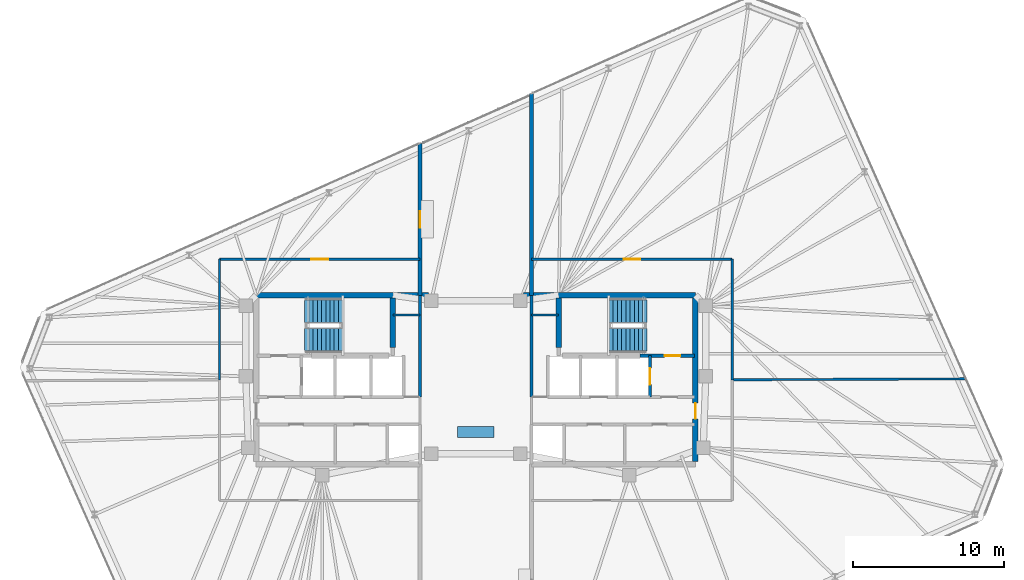
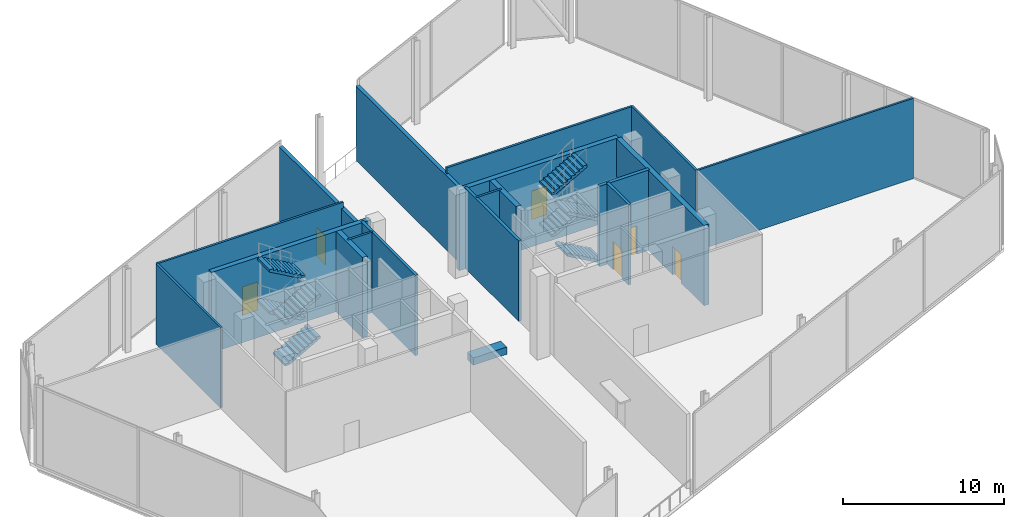
# One storey, part 15 of 16: 18 walls, 8 stair flights, 6 doors, 1 discrete accessory, 6 openings, 2 elements without a shape of their own.
"""IFC4 building model written with IfcOpenShell, lengths in metres."""

from ifc_helpers import new_model, si_unit, direction, frame, frame_2d, origin, origin_2d, place, context, subcontext, project, spatial, polyline, rectangle, outline, extrude, material, layer, layer_set, type_object, element, fill, aggregate, save


model = new_model("IFC4")

# Units and contexts
model_context = context("Model", 3, precision=1e-05, world=origin(), true_north=direction((0.0, 1.0)))
body_context = subcontext(model_context, "Body", "Model", "MODEL_VIEW")
ifc_project = project(units=[si_unit("LENGTHUNIT", "METRE"), si_unit("AREAUNIT", "SQUARE_METRE"), si_unit("VOLUMEUNIT", "CUBIC_METRE"), si_unit("PLANEANGLEUNIT", "RADIAN"), si_unit("MASSUNIT", "GRAM", prefix="KILO")], contexts=[model_context])

# Site, building, storey
site_placement = place(None, origin())
site = spatial("IfcSite", under=ifc_project, at=site_placement, CompositionType="ELEMENT")
building_placement = place(site_placement, origin())
building = spatial("IfcBuilding", under=site, at=building_placement, Name="Menara Jurai Vektor", CompositionType="ELEMENT")
storey_placement = place(building_placement, frame((0.0, 0.0, 275.60009765625)))
storey = spatial("IfcBuildingStorey", under=building, at=storey_placement, Name="L74", CompositionType="ELEMENT", Elevation=275.60009765625)

# Wall, opening, door
ifc_material_1 = material(Name="Insulated Pale Aluminium Terrace Wall", Category="aluminium")
ifc_layer_1 = layer(ifc_material_1, 0.260009765625)
ifc_layer_set_1 = layer_set([ifc_layer_1], Name="Insulated Pale Aluminium Terrace Wall")
wall_type_1 = type_object("IfcWallType", Name="ENV-WALL-EXT260-H1", PredefinedType="STANDARD", material=ifc_layer_set_1)
wall_1_placement = place(storey_placement, frame((-3.699951171875, 5.60009765625, 0.0), z_axis=(0.0, 0.0, 1.0), x_axis=(0.0, 1.0, 0.0)))
wall_1 = element("IfcWall", 1, at=wall_1_placement, inside=storey, type_object=wall_type_1, Name="Wind Portal Breezeway Wall 1-N", PredefinedType="STANDARD", context=body_context, shape_type="SweptSolid", body=[
    extrude(rectangle(XDim=10.08203125, YDim=0.260009765625, at=frame_2d((5.041015625, 0.0))), origin(), (0.0, 0.0, 1.0), 5.625),
])
opening_1_placement = place(wall_1_placement, frame((4.490966796875, 0.0, 0.0)))
opening_1 = element("IfcOpeningElement", 2, at=opening_1_placement, cuts=wall_1, Name="Opening TD-L74-1", PredefinedType="OPENING", context=body_context, shape_type="SweptSolid", body=[
    extrude(rectangle(XDim=1.10009765625, YDim=2.199951171875, at=frame_2d((0.550048828125, 1.10009765625))), frame((0.0, 0.14013671875, 0.0), z_axis=(0.0, -1.0, 0.0), x_axis=(1.0, 0.0, 0.0)), (0.0, 0.0, 1.0), 0.280029296875),
])
ifc_material_2 = material(Name="Anodised Aluminium Glazed Terrace Door", Category="aluminium")
door_type_1 = type_object("IfcDoorType", Name="ENV-DOOR-TER110", OperationType="NOTDEFINED", PredefinedType="DOOR", material=ifc_material_2)
door_1_placement = place(opening_1_placement, frame((1.10009765625, 0.0, 0.0), z_axis=(0.0, 0.0, 1.0), x_axis=(-1.0, 0.0, 0.0)))
door_1 = element("IfcDoor", 3, at=door_1_placement, inside=storey, type_object=door_type_1, Name="Wind Portal Sky-Deck Access Door 1", OperationType="SINGLE_SWING_LEFT", OverallHeight=2.199951171875, OverallWidth=1.10009765625, PredefinedType="DOOR", context=body_context, shape_type="SweptSolid", body=[
    extrude(rectangle(XDim=1.10009765625, YDim=2.199951171875, at=frame_2d((0.550048828125, 1.10009765625))), frame((0.0, 0.02490234375, 0.0), z_axis=(0.0, -1.0, 0.0), x_axis=(1.0, 0.0, 0.0)), (0.0, 0.0, 1.0), 0.050048828125),
])
fill(opening_1, door_1)

# Wall
wall_2_placement = place(storey_placement, frame((3.699951171875, 5.60009765625, 0.0), z_axis=(0.0, 0.0, 1.0), x_axis=(0.0, 1.0, 0.0)))
element("IfcWall", 4, at=wall_2_placement, inside=storey, type_object=wall_type_1, Name="Wind Portal Breezeway Wall 2-N", PredefinedType="STANDARD", context=body_context, shape_type="SweptSolid", body=[
    extrude(rectangle(XDim=13.376708984375, YDim=0.260009765625, at=frame_2d((6.6884765625, 0.0))), origin(), (0.0, 0.0, 1.0), 5.625),
])

# Wall, opening, door
ifc_material_3 = material(Name="Concrete C40/50", Category="concrete")
ifc_layer_2 = layer(ifc_material_3, 0.25)
ifc_layer_set_2 = layer_set([ifc_layer_2], Name="Concrete C40/50")
wall_type_2 = type_object("IfcWallType", Name="INT-WALL-CORE-250", PredefinedType="STANDARD", material=ifc_layer_set_2)
wall_3_placement = place(storey_placement, frame((10.89990234375, 1.60009765625, 0.0), z_axis=(0.0, 0.0, 1.0), x_axis=(1.0, 0.0, 0.0)))
wall_3 = element("IfcWall", 5, at=wall_3_placement, inside=storey, type_object=wall_type_2, Name="Interior Wall IW-250 L74", PredefinedType="STANDARD", context=body_context, shape_type="SweptSolid", body=[
    extrude(rectangle(XDim=3.60009765625, YDim=0.25, at=frame_2d((1.800048828125, 0.0))), origin(), (0.0, 0.0, 1.0), 6.074951171875),
])
opening_2_placement = place(wall_3_placement, frame((1.6201171875, 0.0, 0.0)))
opening_2 = element("IfcOpeningElement", 6, at=opening_2_placement, cuts=wall_3, Name="Opening D-L74-ST2", PredefinedType="OPENING", context=body_context, shape_type="SweptSolid", body=[
    extrude(rectangle(XDim=1.050048828125, YDim=2.14990234375, at=frame_2d((0.52490234375, 1.074951171875))), frame((0.0, 0.135009765625, 0.0), z_axis=(0.0, -1.0, 0.0), x_axis=(1.0, 0.0, 0.0)), (0.0, 0.0, 1.0), 0.27001953125),
])
ifc_material_4 = material(Name="Fire-Rated Steel Door", Category="steel")
door_type_2 = type_object("IfcDoorType", Name="DR-STAIR-1050", OperationType="NOTDEFINED", PredefinedType="DOOR", material=ifc_material_4)
door_2_placement = place(opening_2_placement, origin())
door_2 = element("IfcDoor", 7, at=door_2_placement, inside=storey, type_object=door_type_2, Name="Exit Stair ST2 Door L74", OperationType="SINGLE_SWING_LEFT", OverallHeight=2.14990234375, OverallWidth=1.050048828125, PredefinedType="DOOR", context=body_context, shape_type="SweptSolid", body=[
    extrude(rectangle(XDim=1.050048828125, YDim=2.14990234375, at=frame_2d((0.52490234375, 1.074951171875))), frame((0.0, 0.02490234375, 0.0), z_axis=(0.0, -1.0, 0.0), x_axis=(1.0, 0.0, 0.0)), (0.0, 0.0, 1.0), 0.050048828125),
])
fill(opening_2, door_2)

wall_4_placement = place(storey_placement, frame((11.550048828125, -1.14990234375, 0.0), z_axis=(0.0, 0.0, 1.0), x_axis=(0.0, 1.0, 0.0)))
wall_4 = element("IfcWall", 8, at=wall_4_placement, inside=storey, type_object=wall_type_2, Name="Interior Wall IW-250 L74", PredefinedType="STANDARD", context=body_context, shape_type="SweptSolid", body=[
    extrude(rectangle(XDim=2.75, YDim=0.199951171875, at=frame_2d((1.375, 0.0))), origin(), (0.0, 0.0, 1.0), 6.074951171875),
])
opening_3_placement = place(wall_4_placement, frame((0.824951171875, 0.0, 0.0)))
opening_3 = element("IfcOpeningElement", 9, at=opening_3_placement, cuts=wall_4, Name="Opening LD-L74-FL2", PredefinedType="OPENING", context=body_context, shape_type="SweptSolid", body=[
    extrude(rectangle(XDim=1.10009765625, YDim=2.14990234375, at=frame_2d((0.550048828125, 1.074951171875))), frame((0.0, 0.10986328125, 0.0), z_axis=(0.0, -1.0, 0.0), x_axis=(1.0, 0.0, 0.0)), (0.0, 0.0, 1.0), 0.219970703125),
])
ifc_material_5 = material(Name="Stainless Steel Sliding Lift Landing Door", Category="steel")
door_type_3 = type_object("IfcDoorType", Name="DR-LIFT-FIRE-1100", OperationType="NOTDEFINED", PredefinedType="DOOR", material=ifc_material_5)
door_3_placement = place(opening_3_placement, origin())
door_3 = element("IfcDoor", 10, at=door_3_placement, inside=storey, type_object=door_type_3, Name="Lift Landing Door FL2 L74", OperationType="SLIDING_TO_RIGHT", OverallHeight=2.14990234375, OverallWidth=1.10009765625, PredefinedType="DOOR", context=body_context, shape_type="SweptSolid", body=[
    extrude(rectangle(XDim=1.10009765625, YDim=2.14990234375, at=frame_2d((0.550048828125, 1.074951171875))), frame((0.0, 0.02490234375, 0.0), z_axis=(0.0, -1.0, 0.0), x_axis=(1.0, 0.0, 0.0)), (0.0, 0.0, 1.0), 0.050048828125),
])
fill(opening_3, door_3)

# Walls
ifc_material_6 = material(Name="Gypsum Fireboard Partition", Category="gypsum")
ifc_layer_3 = layer(ifc_material_6, 0.14990234375)
ifc_layer_set_3 = layer_set([ifc_layer_3], Name="Gypsum Fireboard Partition")
wall_type_3 = type_object("IfcWallType", Name="INT-WALL-CORR-150", PredefinedType="PARTITIONING", material=ifc_layer_set_3)
for number, where, z_axis, x_axis, name in (
    (11, (-5.5, 4.300048828125, 0.0), (0.0, 0.0, 1.0), (1.0, 0.0, 0.0), "Interior Wall IW-150 L74"),
    (12, (3.699951171875, 4.300048828125, 0.0), (0.0, 0.0, 1.0), (1.0, 0.0, 0.0), "Interior Wall IW-150 L74"),
):
    element("IfcWall", number, at=place(storey_placement, frame(where, z_axis=z_axis, x_axis=x_axis)), inside=storey, type_object=wall_type_3, Name=name, PredefinedType="PARTITIONING", context=body_context, shape_type="SweptSolid", body=[
        extrude(rectangle(XDim=1.800048828125, YDim=0.14990234375, at=frame_2d((0.89990234375, 0.0))), origin(), (0.0, 0.0, 1.0), 6.074951171875),
    ])
wall_5_placement = place(storey_placement, frame((-17.0, 0.0, 0.0), z_axis=(0.0, 0.0, 1.0), x_axis=(0.0, 1.0, 0.0)))
element("IfcWall", 13, at=wall_5_placement, inside=storey, type_object=wall_type_3, Name="Interior Wall IW-150 L74", PredefinedType="PARTITIONING", context=body_context, shape_type="SweptSolid", body=[
    extrude(rectangle(XDim=8.0, YDim=0.14990234375, at=frame_2d((4.0, 0.0))), origin(), (0.0, 0.0, 1.0), 6.074951171875),
])

# Wall, opening, door
wall_6_placement = place(storey_placement, frame((-17.0, 8.0, 0.0), z_axis=(0.0, 0.0, 1.0), x_axis=(1.0, 0.0, 0.0)))
wall_6 = element("IfcWall", 14, at=wall_6_placement, inside=storey, type_object=wall_type_3, Name="Interior Wall IW-150 L74", PredefinedType="PARTITIONING", context=body_context, shape_type="SweptSolid", body=[
    extrude(rectangle(XDim=13.300048828125, YDim=0.14990234375, at=frame_2d((6.64990234375, 0.0))), origin(), (0.0, 0.0, 1.0), 6.074951171875),
])
opening_4_placement = place(wall_6_placement, frame((6.10009765625, 0.0, 0.0)))
opening_4 = element("IfcOpeningElement", 15, at=opening_4_placement, cuts=wall_6, Name="Opening D74-07", PredefinedType="OPENING", context=body_context, shape_type="SweptSolid", body=[
    extrude(rectangle(XDim=1.10009765625, YDim=2.14990234375, at=frame_2d((0.550048828125, 1.074951171875))), frame((0.0, 0.0849609375, 0.0), z_axis=(0.0, -1.0, 0.0), x_axis=(1.0, 0.0, 0.0)), (0.0, 0.0, 1.0), 0.169921875),
])
ifc_material_7 = material(Name="Fire-Rated Steel Plant Door", Category="steel")
door_type_4 = type_object("IfcDoorType", Name="DR-PLANT-1150", OperationType="NOTDEFINED", PredefinedType="DOOR", material=ifc_material_7)
door_4_placement = place(opening_4_placement, origin())
door_4 = element("IfcDoor", 16, at=door_4_placement, inside=storey, type_object=door_type_4, Name="Interior Door D74-07", OperationType="SINGLE_SWING_LEFT", OverallHeight=2.14990234375, OverallWidth=1.10009765625, PredefinedType="DOOR", context=body_context, shape_type="SweptSolid", body=[
    extrude(rectangle(XDim=1.10009765625, YDim=2.14990234375, at=frame_2d((0.550048828125, 1.074951171875))), frame((0.0, 0.02490234375, 0.0), z_axis=(0.0, -1.0, 0.0), x_axis=(1.0, 0.0, 0.0)), (0.0, 0.0, 1.0), 0.050048828125),
])
fill(opening_4, door_4)

wall_7_placement = place(storey_placement, frame((3.699951171875, 8.0, 0.0), z_axis=(0.0, 0.0, 1.0), x_axis=(1.0, 0.0, 0.0)))
wall_7 = element("IfcWall", 17, at=wall_7_placement, inside=storey, type_object=wall_type_3, Name="Interior Wall IW-150 L74", PredefinedType="PARTITIONING", context=body_context, shape_type="SweptSolid", body=[
    extrude(rectangle(XDim=13.300048828125, YDim=0.14990234375, at=frame_2d((6.64990234375, 0.0))), origin(), (0.0, 0.0, 1.0), 6.074951171875),
])
opening_5_placement = place(wall_7_placement, frame((6.10009765625, 0.0, 0.0)))
opening_5 = element("IfcOpeningElement", 18, at=opening_5_placement, cuts=wall_7, Name="Opening D74-09", PredefinedType="OPENING", context=body_context, shape_type="SweptSolid", body=[
    extrude(rectangle(XDim=1.10009765625, YDim=2.14990234375, at=frame_2d((0.550048828125, 1.074951171875))), frame((0.0, 0.0849609375, 0.0), z_axis=(0.0, -1.0, 0.0), x_axis=(1.0, 0.0, 0.0)), (0.0, 0.0, 1.0), 0.169921875),
])
door_5_placement = place(opening_5_placement, origin())
door_5 = element("IfcDoor", 19, at=door_5_placement, inside=storey, type_object=door_type_4, Name="Interior Door D74-09", OperationType="SINGLE_SWING_LEFT", OverallHeight=2.14990234375, OverallWidth=1.10009765625, PredefinedType="DOOR", context=body_context, shape_type="SweptSolid", body=[
    extrude(rectangle(XDim=1.10009765625, YDim=2.14990234375, at=frame_2d((0.550048828125, 1.074951171875))), frame((0.0, 0.02490234375, 0.0), z_axis=(0.0, -1.0, 0.0), x_axis=(1.0, 0.0, 0.0)), (0.0, 0.0, 1.0), 0.050048828125),
])
fill(opening_5, door_5)

# Walls
wall_8_placement = place(storey_placement, frame((17.0, 0.0, 0.0), z_axis=(0.0, 0.0, 1.0), x_axis=(0.0, 1.0, 0.0)))
element("IfcWall", 20, at=wall_8_placement, inside=storey, type_object=wall_type_3, Name="Interior Wall IW-150 L74", PredefinedType="PARTITIONING", context=body_context, shape_type="SweptSolid", body=[
    extrude(rectangle(XDim=8.0, YDim=0.14990234375, at=frame_2d((4.0, 0.0))), origin(), (0.0, 0.0, 1.0), 6.074951171875),
])
wall_9_placement = place(storey_placement, frame((17.0, 0.0, 0.0), z_axis=(0.0, 0.0, 1.0), x_axis=(0.999992186475, 0.003953098542, 0.0)))
element("IfcWall", 21, at=wall_9_placement, inside=storey, type_object=wall_type_3, Name="Interior Wall IW-150 L74", PredefinedType="PARTITIONING", context=body_context, shape_type="SweptSolid", body=[
    extrude(rectangle(XDim=15.50146484375, YDim=0.14990234375, at=frame_2d((7.750732421875, 0.0))), origin(), (0.0, 0.0, 1.0), 6.074951171875),
])
ifc_layer_4 = layer(ifc_material_3, 0.199951171875)
ifc_layer_set_4 = layer_set([ifc_layer_4], Name="Concrete C40/50")
wall_type_4 = type_object("IfcWallType", Name="INT-WALL-SHAFT-200", PredefinedType="STANDARD", material=ifc_layer_set_4)
for number, where, z_axis, x_axis, name in (
    (22, (-3.699951171875, -1.14990234375, 0.0), (0.0, 0.0, 1.0), (0.0, 1.0, 0.0), "Interior Wall IW-200 L74"),
    (23, (3.699951171875, -1.14990234375, 0.0), (0.0, 0.0, 1.0), (0.0, 1.0, 0.0), "Interior Wall IW-200 L74"),
):
    element("IfcWall", number, at=place(storey_placement, frame(where, z_axis=z_axis, x_axis=x_axis)), inside=storey, type_object=wall_type_4, Name=name, PredefinedType="STANDARD", context=body_context, shape_type="SweptSolid", body=[
        extrude(rectangle(XDim=6.75, YDim=0.199951171875, at=frame_2d((3.375, 0.0))), origin(), (0.0, 0.0, 1.0), 6.074951171875),
    ])
ifc_material_8 = material(Name="Concrete C50/60", Category="concrete")
ifc_layer_5 = layer(ifc_material_8, 0.35009765625)
ifc_layer_set_5 = layer_set([ifc_layer_5], Name="Concrete C50/60")
wall_type_5 = type_object("IfcWallType", Name="STR-WALL-CORE350", PredefinedType="SHEAR", material=ifc_layer_set_5)
wall_10_placement = place(storey_placement, frame((-14.56005859375, 5.60009765625, 0.0), z_axis=(0.0, 0.0, 1.0), x_axis=(1.0, 0.0, 0.0)))
element("IfcWall", 24, at=wall_10_placement, inside=storey, type_object=wall_type_5, Name="Core Shear Wall CW-W-N L74", PredefinedType="SHEAR", context=body_context, shape_type="SweptSolid", body=[
    extrude(rectangle(XDim=11.41015625, YDim=0.35009765625, at=frame_2d((5.705078125, 0.0))), origin(), (0.0, 0.0, 1.0), 6.074951171875),
])
wall_11_placement = place(storey_placement, frame((-5.5, 2.14990234375, 0.0), z_axis=(0.0, 0.0, 1.0), x_axis=(0.0, 1.0, 0.0)))
element("IfcWall", 25, at=wall_11_placement, inside=storey, type_object=wall_type_5, Name="Core Shear Wall CW-W-ST L74", PredefinedType="SHEAR", context=body_context, shape_type="SweptSolid", body=[
    extrude(rectangle(XDim=3.275146484375, YDim=0.35009765625, at=frame_2d((1.6376953125, 0.0))), origin(), (0.0, 0.0, 1.0), 6.074951171875),
])
wall_12_placement = place(storey_placement, frame((3.14990234375, 5.60009765625, 0.0), z_axis=(0.0, 0.0, 1.0), x_axis=(1.0, 0.0, 0.0)))
element("IfcWall", 26, at=wall_12_placement, inside=storey, type_object=wall_type_5, Name="Core Shear Wall CW-E-N L74", PredefinedType="SHEAR", context=body_context, shape_type="SweptSolid", body=[
    extrude(rectangle(XDim=11.41015625, YDim=0.35009765625, at=frame_2d((5.705078125, 0.0))), origin(), (0.0, 0.0, 1.0), 6.074951171875),
])

# Wall, opening, door
wall_13_placement = place(storey_placement, frame((14.56005859375, -5.425048828125, 0.0), z_axis=(0.0, 0.0, 1.0), x_axis=(0.0, 1.0, 0.0)))
wall_13 = element("IfcWall", 27, at=wall_13_placement, inside=storey, type_object=wall_type_5, Name="Core Shear Wall CW-E-E L74", PredefinedType="SHEAR", context=body_context, shape_type="SweptSolid", body=[
    extrude(rectangle(XDim=10.85009765625, YDim=0.35009765625, at=frame_2d((5.425048828125, 0.0))), origin(), (0.0, 0.0, 1.0), 6.074951171875),
])
opening_6_placement = place(wall_13_placement, frame((2.824951171875, 0.0, 0.0)))
opening_6 = element("IfcOpeningElement", 28, at=opening_6_placement, cuts=wall_13, Name="Opening D74-12", PredefinedType="OPENING", context=body_context, shape_type="SweptSolid", body=[
    extrude(rectangle(XDim=1.050048828125, YDim=2.14990234375, at=frame_2d((0.52490234375, 1.074951171875))), frame((0.0, 0.18505859375, 0.0), z_axis=(0.0, -1.0, 0.0), x_axis=(1.0, 0.0, 0.0)), (0.0, 0.0, 1.0), 0.3701171875),
])
door_6_placement = place(opening_6_placement, origin())
door_6 = element("IfcDoor", 29, at=door_6_placement, inside=storey, type_object=door_type_4, Name="Interior Door D74-12", OperationType="SINGLE_SWING_RIGHT", OverallHeight=2.14990234375, OverallWidth=1.050048828125, PredefinedType="DOOR", context=body_context, shape_type="SweptSolid", body=[
    extrude(rectangle(XDim=1.050048828125, YDim=2.14990234375, at=frame_2d((0.52490234375, 1.074951171875))), frame((0.0, 0.02490234375, 0.0), z_axis=(0.0, -1.0, 0.0), x_axis=(1.0, 0.0, 0.0)), (0.0, 0.0, 1.0), 0.050048828125),
])
fill(opening_6, door_6)

# Wall
wall_14_placement = place(storey_placement, frame((5.5, 2.14990234375, 0.0), z_axis=(0.0, 0.0, 1.0), x_axis=(0.0, 1.0, 0.0)))
element("IfcWall", 30, at=wall_14_placement, inside=storey, type_object=wall_type_5, Name="Core Shear Wall CW-E-ST L74", PredefinedType="SHEAR", context=body_context, shape_type="SweptSolid", body=[
    extrude(rectangle(XDim=3.275146484375, YDim=0.35009765625, at=frame_2d((1.6376953125, 0.0))), origin(), (0.0, 0.0, 1.0), 6.074951171875),
])

# Stair, stair flights
stair_type = type_object("IfcStairType", Name="STAIR-DOGLEG-1500", PredefinedType="HALF_TURN_STAIR", material=ifc_material_3)
stair_1_placement = place(storey_placement, origin())
stair_1 = element("IfcStair", 31, at=stair_1_placement, inside=storey, type_object=stair_type, Name="Protected Exit Stair ST1 L74", PredefinedType="HALF_TURN_STAIR")
stair_flight_type = type_object("IfcStairFlightType", Name="STAIR-FLIGHT-1500", PredefinedType="STRAIGHT", material=ifc_material_3)
stair_flight_1_placement = place(storey_placement, frame((-11.35009765625, 2.64990234375, 0.0), z_axis=(0.0, 0.0, 1.0), x_axis=(1.0, 0.0, 0.0)))
stair_flight_1 = element("IfcStairFlight", 32, at=stair_flight_1_placement, type_object=stair_flight_type, Name="ST1 flight 1", NumberOfRisers=10, NumberOfTreads=9, PredefinedType="STRAIGHT", RiserHeight=0.1575, TreadLength=0.28, context=body_context, shape_type="SweptSolid", body=[
    extrude(outline(polyline([(0.0, 0.0), (0.0, 0.157470703125), (0.280029296875, 0.157470703125), (0.280029296875, 0.31494140625), (0.56005859375, 0.31494140625), (0.56005859375, 0.472412109375), (0.840087890625, 0.472412109375), (0.840087890625, 0.6298828125), (1.1201171875, 0.6298828125), (1.1201171875, 0.78759765625), (1.39990234375, 0.78759765625), (1.39990234375, 0.945068359375), (1.679931640625, 0.945068359375), (1.679931640625, 1.1025390625), (1.9599609375, 1.1025390625), (1.9599609375, 1.260009765625), (2.239990234375, 1.260009765625), (2.239990234375, 1.41748046875), (2.52001953125, 1.41748046875), (2.52001953125, 1.574951171875), (2.52001953125, 1.234130859375), (0.326171875, 0.0), (0.0, 0.0)])), frame((0.0, 0.75, 0.0), z_axis=(0.0, -1.0, 0.0), x_axis=(1.0, 0.0, 0.0)), (0.0, 0.0, 1.0), 1.5),
])
stair_flight_2_placement = place(storey_placement, frame((-8.830078125, 4.550048828125, 1.574951171875), z_axis=(0.0, 0.0, 1.0), x_axis=(-1.0, 0.0, 0.0)))
stair_flight_2 = element("IfcStairFlight", 33, at=stair_flight_2_placement, type_object=stair_flight_type, Name="ST1 flight 2", NumberOfRisers=10, NumberOfTreads=9, PredefinedType="STRAIGHT", RiserHeight=0.1575, TreadLength=0.28, context=body_context, shape_type="SweptSolid", body=[
    extrude(outline(polyline([(0.0, 0.0), (0.0, 0.157470703125), (0.280029296875, 0.157470703125), (0.280029296875, 0.31494140625), (0.56005859375, 0.31494140625), (0.56005859375, 0.472412109375), (0.840087890625, 0.472412109375), (0.840087890625, 0.6298828125), (1.1201171875, 0.6298828125), (1.1201171875, 0.78759765625), (1.39990234375, 0.78759765625), (1.39990234375, 0.945068359375), (1.679931640625, 0.945068359375), (1.679931640625, 1.1025390625), (1.9599609375, 1.1025390625), (1.9599609375, 1.260009765625), (2.239990234375, 1.260009765625), (2.239990234375, 1.41748046875), (2.52001953125, 1.41748046875), (2.52001953125, 1.574951171875), (2.52001953125, 1.234130859375), (0.326171875, 0.0), (0.0, 0.0)])), frame((0.0, 0.75, 0.0), z_axis=(0.0, -1.0, 0.0), x_axis=(1.0, 0.0, 0.0)), (0.0, 0.0, 1.0), 1.5),
])
stair_flight_3_placement = place(storey_placement, frame((-11.35009765625, 2.64990234375, 3.14990234375), z_axis=(0.0, 0.0, 1.0), x_axis=(1.0, 0.0, 0.0)))
stair_flight_3 = element("IfcStairFlight", 34, at=stair_flight_3_placement, type_object=stair_flight_type, Name="ST1 flight 3", NumberOfRisers=10, NumberOfTreads=9, PredefinedType="STRAIGHT", RiserHeight=0.1575, TreadLength=0.28, context=body_context, shape_type="SweptSolid", body=[
    extrude(outline(polyline([(0.0, 0.0), (0.0, 0.157470703125), (0.280029296875, 0.157470703125), (0.280029296875, 0.31494140625), (0.56005859375, 0.31494140625), (0.56005859375, 0.472412109375), (0.840087890625, 0.472412109375), (0.840087890625, 0.6298828125), (1.1201171875, 0.6298828125), (1.1201171875, 0.78759765625), (1.39990234375, 0.78759765625), (1.39990234375, 0.945068359375), (1.679931640625, 0.945068359375), (1.679931640625, 1.1025390625), (1.9599609375, 1.1025390625), (1.9599609375, 1.260009765625), (2.239990234375, 1.260009765625), (2.239990234375, 1.41748046875), (2.52001953125, 1.41748046875), (2.52001953125, 1.574951171875), (2.52001953125, 1.234130859375), (0.326171875, 0.0), (0.0, 0.0)])), frame((0.0, 0.75, 0.0), z_axis=(0.0, -1.0, 0.0), x_axis=(1.0, 0.0, 0.0)), (0.0, 0.0, 1.0), 1.5),
])
stair_flight_4_placement = place(storey_placement, frame((-8.830078125, 4.550048828125, 4.724853515625), z_axis=(0.0, 0.0, 1.0), x_axis=(-1.0, 0.0, 0.0)))
stair_flight_4 = element("IfcStairFlight", 35, at=stair_flight_4_placement, type_object=stair_flight_type, Name="ST1 flight 4", NumberOfRisers=10, NumberOfTreads=9, PredefinedType="STRAIGHT", RiserHeight=0.1575, TreadLength=0.28, context=body_context, shape_type="SweptSolid", body=[
    extrude(outline(polyline([(0.0, 0.0), (0.0, 0.157470703125), (0.280029296875, 0.157470703125), (0.280029296875, 0.31494140625), (0.56005859375, 0.31494140625), (0.56005859375, 0.472412109375), (0.840087890625, 0.472412109375), (0.840087890625, 0.6298828125), (1.1201171875, 0.6298828125), (1.1201171875, 0.78759765625), (1.39990234375, 0.78759765625), (1.39990234375, 0.945068359375), (1.679931640625, 0.945068359375), (1.679931640625, 1.1025390625), (1.9599609375, 1.1025390625), (1.9599609375, 1.260009765625), (2.239990234375, 1.260009765625), (2.239990234375, 1.41748046875), (2.52001953125, 1.41748046875), (2.52001953125, 1.574951171875), (2.52001953125, 1.234130859375), (0.326171875, 0.0), (0.0, 0.0)])), frame((0.0, 0.75, 0.0), z_axis=(0.0, -1.0, 0.0), x_axis=(1.0, 0.0, 0.0)), (0.0, 0.0, 1.0), 1.5),
])
aggregate(stair_1, [stair_flight_1, stair_flight_2, stair_flight_3, stair_flight_4])

stair_2_placement = place(storey_placement, origin())
stair_2 = element("IfcStair", 36, at=stair_2_placement, inside=storey, type_object=stair_type, Name="Protected Exit Stair ST2 L74", PredefinedType="HALF_TURN_STAIR")
stair_flight_5_placement = place(storey_placement, frame((11.35009765625, 2.64990234375, 0.0), z_axis=(0.0, 0.0, 1.0), x_axis=(-1.0, 0.0, 0.0)))
stair_flight_5 = element("IfcStairFlight", 37, at=stair_flight_5_placement, type_object=stair_flight_type, Name="ST2 flight 1", NumberOfRisers=10, NumberOfTreads=9, PredefinedType="STRAIGHT", RiserHeight=0.1575, TreadLength=0.28, context=body_context, shape_type="SweptSolid", body=[
    extrude(outline(polyline([(0.0, 0.0), (0.0, 0.157470703125), (0.280029296875, 0.157470703125), (0.280029296875, 0.31494140625), (0.56005859375, 0.31494140625), (0.56005859375, 0.472412109375), (0.840087890625, 0.472412109375), (0.840087890625, 0.6298828125), (1.1201171875, 0.6298828125), (1.1201171875, 0.78759765625), (1.39990234375, 0.78759765625), (1.39990234375, 0.945068359375), (1.679931640625, 0.945068359375), (1.679931640625, 1.1025390625), (1.9599609375, 1.1025390625), (1.9599609375, 1.260009765625), (2.239990234375, 1.260009765625), (2.239990234375, 1.41748046875), (2.52001953125, 1.41748046875), (2.52001953125, 1.574951171875), (2.52001953125, 1.234130859375), (0.326171875, 0.0), (0.0, 0.0)])), frame((0.0, 0.75, 0.0), z_axis=(0.0, -1.0, 0.0), x_axis=(1.0, 0.0, 0.0)), (0.0, 0.0, 1.0), 1.5),
])
stair_flight_6_placement = place(storey_placement, frame((8.830078125, 4.550048828125, 1.574951171875), z_axis=(0.0, 0.0, 1.0), x_axis=(1.0, 0.0, 0.0)))
stair_flight_6 = element("IfcStairFlight", 38, at=stair_flight_6_placement, type_object=stair_flight_type, Name="ST2 flight 2", NumberOfRisers=10, NumberOfTreads=9, PredefinedType="STRAIGHT", RiserHeight=0.1575, TreadLength=0.28, context=body_context, shape_type="SweptSolid", body=[
    extrude(outline(polyline([(0.0, 0.0), (0.0, 0.157470703125), (0.280029296875, 0.157470703125), (0.280029296875, 0.31494140625), (0.56005859375, 0.31494140625), (0.56005859375, 0.472412109375), (0.840087890625, 0.472412109375), (0.840087890625, 0.6298828125), (1.1201171875, 0.6298828125), (1.1201171875, 0.78759765625), (1.39990234375, 0.78759765625), (1.39990234375, 0.945068359375), (1.679931640625, 0.945068359375), (1.679931640625, 1.1025390625), (1.9599609375, 1.1025390625), (1.9599609375, 1.260009765625), (2.239990234375, 1.260009765625), (2.239990234375, 1.41748046875), (2.52001953125, 1.41748046875), (2.52001953125, 1.574951171875), (2.52001953125, 1.234130859375), (0.326171875, 0.0), (0.0, 0.0)])), frame((0.0, 0.75, 0.0), z_axis=(0.0, -1.0, 0.0), x_axis=(1.0, 0.0, 0.0)), (0.0, 0.0, 1.0), 1.5),
])
stair_flight_7_placement = place(storey_placement, frame((11.35009765625, 2.64990234375, 3.14990234375), z_axis=(0.0, 0.0, 1.0), x_axis=(-1.0, 0.0, 0.0)))
stair_flight_7 = element("IfcStairFlight", 39, at=stair_flight_7_placement, type_object=stair_flight_type, Name="ST2 flight 3", NumberOfRisers=10, NumberOfTreads=9, PredefinedType="STRAIGHT", RiserHeight=0.1575, TreadLength=0.28, context=body_context, shape_type="SweptSolid", body=[
    extrude(outline(polyline([(0.0, 0.0), (0.0, 0.157470703125), (0.280029296875, 0.157470703125), (0.280029296875, 0.31494140625), (0.56005859375, 0.31494140625), (0.56005859375, 0.472412109375), (0.840087890625, 0.472412109375), (0.840087890625, 0.6298828125), (1.1201171875, 0.6298828125), (1.1201171875, 0.78759765625), (1.39990234375, 0.78759765625), (1.39990234375, 0.945068359375), (1.679931640625, 0.945068359375), (1.679931640625, 1.1025390625), (1.9599609375, 1.1025390625), (1.9599609375, 1.260009765625), (2.239990234375, 1.260009765625), (2.239990234375, 1.41748046875), (2.52001953125, 1.41748046875), (2.52001953125, 1.574951171875), (2.52001953125, 1.234130859375), (0.326171875, 0.0), (0.0, 0.0)])), frame((0.0, 0.75, 0.0), z_axis=(0.0, -1.0, 0.0), x_axis=(1.0, 0.0, 0.0)), (0.0, 0.0, 1.0), 1.5),
])
stair_flight_8_placement = place(storey_placement, frame((8.830078125, 4.550048828125, 4.724853515625), z_axis=(0.0, 0.0, 1.0), x_axis=(1.0, 0.0, 0.0)))
stair_flight_8 = element("IfcStairFlight", 40, at=stair_flight_8_placement, type_object=stair_flight_type, Name="ST2 flight 4", NumberOfRisers=10, NumberOfTreads=9, PredefinedType="STRAIGHT", RiserHeight=0.1575, TreadLength=0.28, context=body_context, shape_type="SweptSolid", body=[
    extrude(outline(polyline([(0.0, 0.0), (0.0, 0.157470703125), (0.280029296875, 0.157470703125), (0.280029296875, 0.31494140625), (0.56005859375, 0.31494140625), (0.56005859375, 0.472412109375), (0.840087890625, 0.472412109375), (0.840087890625, 0.6298828125), (1.1201171875, 0.6298828125), (1.1201171875, 0.78759765625), (1.39990234375, 0.78759765625), (1.39990234375, 0.945068359375), (1.679931640625, 0.945068359375), (1.679931640625, 1.1025390625), (1.9599609375, 1.1025390625), (1.9599609375, 1.260009765625), (2.239990234375, 1.260009765625), (2.239990234375, 1.41748046875), (2.52001953125, 1.41748046875), (2.52001953125, 1.574951171875), (2.52001953125, 1.234130859375), (0.326171875, 0.0), (0.0, 0.0)])), frame((0.0, 0.75, 0.0), z_axis=(0.0, -1.0, 0.0), x_axis=(1.0, 0.0, 0.0)), (0.0, 0.0, 1.0), 1.5),
])
aggregate(stair_2, [stair_flight_5, stair_flight_6, stair_flight_7, stair_flight_8])

# Discrete accessory
ifc_material_9 = material(Name="Concrete C40/50 precast", Category="concrete")
discrete_accessory_type = type_object("IfcDiscreteAccessoryType", Name="ENV-ACC-PLANTER", PredefinedType="USERDEFINED", material=ifc_material_9)
discrete_accessory_placement = place(storey_placement, frame((0.0, -3.468505859375, 0.0), z_axis=(0.0, 0.0, 1.0), x_axis=(1.0, 0.0, 0.0)))
element("IfcDiscreteAccessory", 41, at=discrete_accessory_placement, inside=storey, type_object=discrete_accessory_type, Name="Spiral Terrace Planter Box L74-PORTAL", ObjectType="PLANTER", PredefinedType="USERDEFINED", context=body_context, shape_type="SweptSolid", body=[
    extrude(rectangle(XDim=2.39990234375, YDim=0.75, at=origin_2d()), origin(), (0.0, 0.0, 1.0), 0.550048828125),
])

save(model, "model.ifc")
